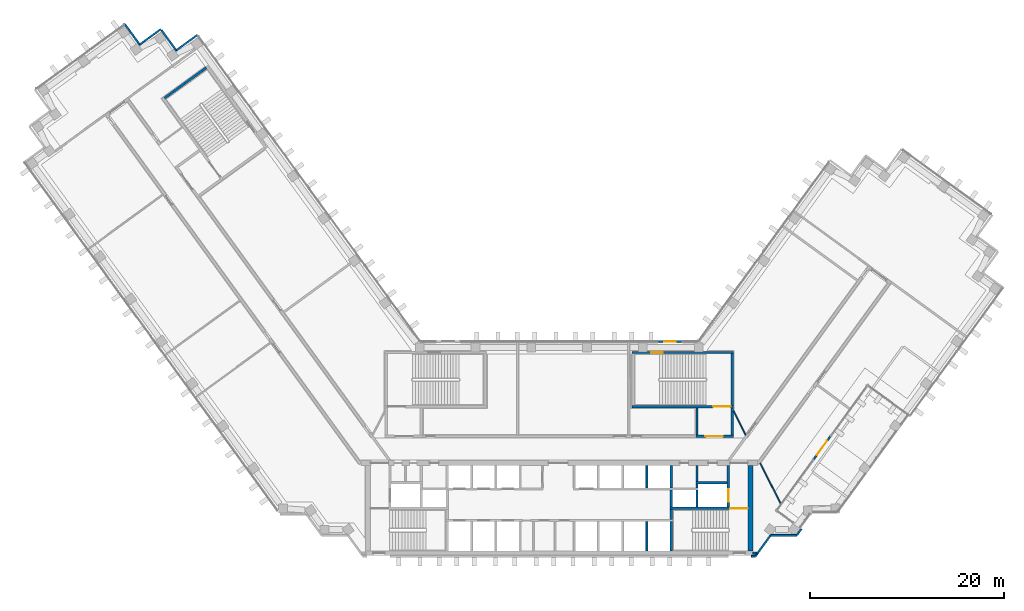
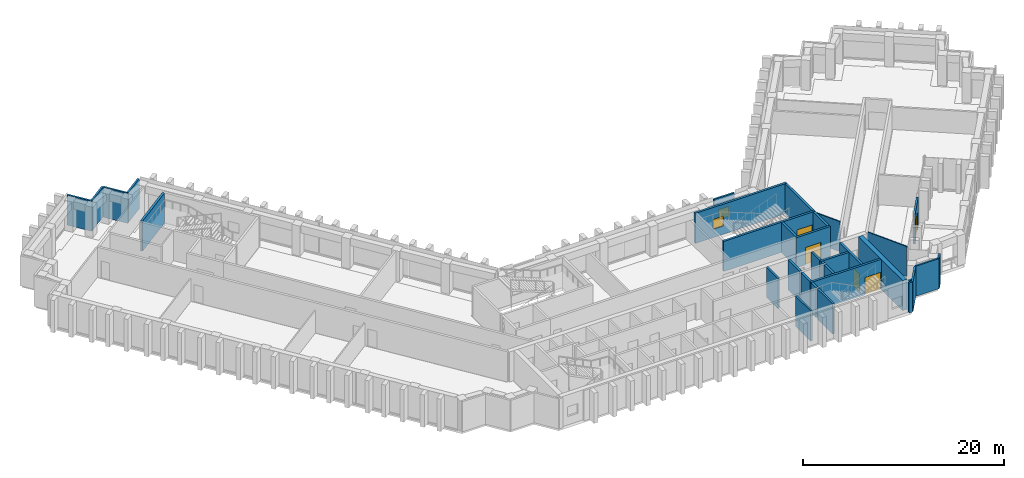
# One storey, part 9 of 14: 33 walls, 5 doors, 2 windows, 7 openings.
"""IFC4 building model written with IfcOpenShell, lengths in metres."""

from ifc_helpers import new_model, si_unit, direction, frame, frame_2d, origin, place, context, subcontext, project, spatial, rectangle, extrude, material, layer, layer_set, type_object, element, fill, save


model = new_model("IFC4")

# Units and contexts
model_context = context("Model", 3, precision=1e-05, world=origin(), true_north=direction((0.0, 1.0)))
body_context = subcontext(model_context, "Body", "Model", "MODEL_VIEW")
ifc_project = project(units=[si_unit("LENGTHUNIT", "METRE"), si_unit("AREAUNIT", "SQUARE_METRE"), si_unit("VOLUMEUNIT", "CUBIC_METRE"), si_unit("PLANEANGLEUNIT", "RADIAN"), si_unit("MASSUNIT", "GRAM", prefix="KILO")], contexts=[model_context])

# Site, building, storey
site_placement = place(None, origin())
site = spatial("IfcSite", under=ifc_project, at=site_placement, CompositionType="ELEMENT")
building_placement = place(site_placement, origin())
building = spatial("IfcBuilding", under=site, at=building_placement, Name="Quipu Civic Tower", CompositionType="ELEMENT")
storey_placement = place(building_placement, frame((0.0, 0.0, 105.0)))
storey = spatial("IfcBuildingStorey", under=building, at=storey_placement, Name="L24", CompositionType="ELEMENT", Elevation=105.0)

# Walls
ifc_material_1 = material(Name="Concrete C70/85", Category="concrete")
ifc_layer_1 = layer(ifc_material_1, 0.25)
ifc_layer_set_1 = layer_set([ifc_layer_1], Name="Concrete C70/85")
wall_type_1 = type_object("IfcWallType", Name="Core wall 250", PredefinedType="SHEAR", material=ifc_layer_set_1)
wall_1_placement = place(storey_placement, frame((11.574951171875, -10.5, 0.0), z_axis=(0.0, 0.0, 1.0), x_axis=(0.0, 1.0, 0.0)))
element("IfcWall", 1, at=wall_1_placement, inside=storey, type_object=wall_type_1, Name="Core wall", PredefinedType="SHEAR", context=body_context, shape_type="SweptSolid", body=[
    extrude(rectangle(XDim=3.0, YDim=0.25, at=frame_2d((1.5, 0.0))), origin(), (0.0, 0.0, 1.0), 3.64990234375),
])
wall_2_placement = place(storey_placement, frame((11.574951171875, -7.25, 0.0), z_axis=(0.0, 0.0, 1.0), x_axis=(0.0, 1.0, 0.0)))
element("IfcWall", 2, at=wall_2_placement, inside=storey, type_object=wall_type_1, Name="Core wall", PredefinedType="SHEAR", context=body_context, shape_type="SweptSolid", body=[
    extrude(rectangle(XDim=1.0, YDim=0.25, at=frame_2d((0.5, 0.0))), origin(), (0.0, 0.0, 1.0), 3.64990234375),
])

# Wall, opening, door
wall_3_placement = place(storey_placement, frame((19.5, -6.125, 0.0), z_axis=(0.0, 0.0, 1.0), x_axis=(-1.0, 0.0, 0.0)))
wall_3 = element("IfcWall", 3, at=wall_3_placement, inside=storey, type_object=wall_type_1, Name="Core wall", PredefinedType="SHEAR", context=body_context, shape_type="SweptSolid", body=[
    extrude(rectangle(XDim=8.050048828125, YDim=0.25, at=frame_2d((4.02490234375, 0.0))), origin(), (0.0, 0.0, 1.0), 3.64990234375),
])
opening_1_placement = place(wall_3_placement, frame((0.050048828125, 0.0, 0.0)))
opening_1 = element("IfcOpeningElement", 4, at=opening_1_placement, cuts=wall_3, Name="Opening CD-05", PredefinedType="OPENING", context=body_context, shape_type="SweptSolid", body=[
    extrude(rectangle(XDim=1.800048828125, YDim=2.10009765625, at=frame_2d((0.89990234375, 1.050048828125))), frame((0.0, 0.135009765625, 0.0), z_axis=(0.0, -1.0, 0.0), x_axis=(1.0, 0.0, 0.0)), (0.0, 0.0, 1.0), 0.27001953125),
])
ifc_material_2 = material(Name="Fire rated steel door", Category="steel")
door_type_1 = type_object("IfcDoorType", Name="Fire door FD90 double 1800 x 2100", OperationType="NOTDEFINED", PredefinedType="DOOR", material=ifc_material_2)
door_1_placement = place(opening_1_placement, origin())
door_1 = element("IfcDoor", 5, at=door_1_placement, inside=storey, type_object=door_type_1, Name="Door", OperationType="DOUBLE_DOOR_SINGLE_SWING", OverallHeight=2.10009765625, OverallWidth=1.800048828125, PredefinedType="DOOR", context=body_context, shape_type="SweptSolid", body=[
    extrude(rectangle(XDim=1.800048828125, YDim=2.10009765625, at=frame_2d((0.89990234375, 1.050048828125))), frame((0.0, 0.02490234375, 0.0), z_axis=(0.0, -1.0, 0.0), x_axis=(1.0, 0.0, 0.0)), (0.0, 0.0, 1.0), 0.050048828125),
])
fill(opening_1, door_1)

# Walls
for number, where, z_axis, x_axis, name in (
    (6, (11.574951171875, -6.0, 0.0), (0.0, 0.0, 1.0), (0.0, 1.0, 0.0), "Core wall"),
    (7, (14.22509765625, -6.0, 0.0), (0.0, 0.0, 1.0), (0.0, 1.0, 0.0), "Core wall"),
):
    element("IfcWall", number, at=place(storey_placement, frame(where, z_axis=z_axis, x_axis=x_axis)), inside=storey, type_object=wall_type_1, Name=name, PredefinedType="SHEAR", context=body_context, shape_type="SweptSolid", body=[
        extrude(rectangle(XDim=1.75, YDim=0.25, at=frame_2d((0.875, 0.0))), origin(), (0.0, 0.0, 1.0), 3.64990234375),
    ])

# Wall, opening, door
wall_4_placement = place(storey_placement, frame((17.47509765625, -6.0, 0.0), z_axis=(0.0, 0.0, 1.0), x_axis=(0.0, 1.0, 0.0)))
wall_4 = element("IfcWall", 8, at=wall_4_placement, inside=storey, type_object=wall_type_1, Name="Core wall", PredefinedType="SHEAR", context=body_context, shape_type="SweptSolid", body=[
    extrude(rectangle(XDim=4.300048828125, YDim=0.25, at=frame_2d((2.14990234375, 0.0))), origin(), (0.0, 0.0, 1.0), 3.64990234375),
])
opening_2_placement = place(wall_4_placement, frame((0.550048828125, 0.0, 0.0)))
opening_2 = element("IfcOpeningElement", 9, at=opening_2_placement, cuts=wall_4, Name="Opening LD-FF2", PredefinedType="OPENING", context=body_context, shape_type="SweptSolid", body=[
    extrude(rectangle(XDim=1.300048828125, YDim=2.10009765625, at=frame_2d((0.64990234375, 1.050048828125))), frame((0.0, 0.135009765625, 0.0), z_axis=(0.0, -1.0, 0.0), x_axis=(1.0, 0.0, 0.0)), (0.0, 0.0, 1.0), 0.27001953125),
])
ifc_material_3 = material(Name="Stainless steel", Category="steel")
door_type_2 = type_object("IfcDoorType", Name="Lift landing door 1300 x 2100", OperationType="DOUBLE_DOOR_SLIDING", PredefinedType="DOOR", material=ifc_material_3)
door_2_placement = place(opening_2_placement, origin())
door_2 = element("IfcDoor", 10, at=door_2_placement, inside=storey, type_object=door_type_2, Name="Landing door FF2", OperationType="DOUBLE_DOOR_SLIDING", OverallHeight=2.10009765625, OverallWidth=1.300048828125, PredefinedType="DOOR", context=body_context, shape_type="SweptSolid", body=[
    extrude(rectangle(XDim=1.300048828125, YDim=2.10009765625, at=frame_2d((0.64990234375, 1.050048828125))), frame((0.0, 0.02490234375, 0.0), z_axis=(0.0, -1.0, 0.0), x_axis=(1.0, 0.0, 0.0)), (0.0, 0.0, 1.0), 0.050048828125),
])
fill(opening_2, door_2)

# Walls
wall_5_placement = place(storey_placement, frame((11.574951171875, -4.0, 0.0), z_axis=(0.0, 0.0, 1.0), x_axis=(0.0, 1.0, 0.0)))
element("IfcWall", 11, at=wall_5_placement, inside=storey, type_object=wall_type_1, Name="Core wall", PredefinedType="SHEAR", context=body_context, shape_type="SweptSolid", body=[
    extrude(rectangle(XDim=2.300048828125, YDim=0.25, at=frame_2d((1.14990234375, 0.0))), origin(), (0.0, 0.0, 1.0), 3.64990234375),
])
wall_6_placement = place(storey_placement, frame((14.22509765625, -4.0, 0.0), z_axis=(0.0, 0.0, 1.0), x_axis=(0.0, 1.0, 0.0)))
element("IfcWall", 12, at=wall_6_placement, inside=storey, type_object=wall_type_1, Name="Core wall", PredefinedType="SHEAR", context=body_context, shape_type="SweptSolid", body=[
    extrude(rectangle(XDim=0.39990234375, YDim=0.25, at=frame_2d((0.199951171875, 0.0))), origin(), (0.0, 0.0, 1.0), 3.64990234375),
])
wall_7_placement = place(storey_placement, frame((14.10009765625, -3.47509765625, 0.0), z_axis=(0.0, 0.0, 1.0), x_axis=(1.0, 0.0, 0.0)))
element("IfcWall", 13, at=wall_7_placement, inside=storey, type_object=wall_type_1, Name="Core wall", PredefinedType="SHEAR", context=body_context, shape_type="SweptSolid", body=[
    extrude(rectangle(XDim=3.25, YDim=0.25, at=frame_2d((1.625, 0.0))), origin(), (0.0, 0.0, 1.0), 3.64990234375),
])
wall_8_placement = place(storey_placement, frame((14.22509765625, -3.35009765625, 0.0), z_axis=(0.0, 0.0, 1.0), x_axis=(0.0, 1.0, 0.0)))
element("IfcWall", 14, at=wall_8_placement, inside=storey, type_object=wall_type_1, Name="Core wall", PredefinedType="SHEAR", context=body_context, shape_type="SweptSolid", body=[
    extrude(rectangle(XDim=1.650146484375, YDim=0.25, at=frame_2d((0.8251953125, 0.0))), origin(), (0.0, 0.0, 1.0), 3.64990234375),
])

# Wall, opening, door
wall_9_placement = place(storey_placement, frame((14.10009765625, 1.324951171875, 0.0), z_axis=(0.0, 0.0, 1.0), x_axis=(1.0, 0.0, 0.0)))
wall_9 = element("IfcWall", 15, at=wall_9_placement, inside=storey, type_object=wall_type_1, Name="Core wall", PredefinedType="SHEAR", context=body_context, shape_type="SweptSolid", body=[
    extrude(rectangle(XDim=3.89990234375, YDim=0.25, at=frame_2d((1.949951171875, 0.0))), origin(), (0.0, 0.0, 1.0), 3.64990234375),
])
opening_3_placement = place(wall_9_placement, frame((1.0, 0.0, 0.0)))
opening_3 = element("IfcOpeningElement", 16, at=opening_3_placement, cuts=wall_9, Name="Opening CD-17", PredefinedType="OPENING", context=body_context, shape_type="SweptSolid", body=[
    extrude(rectangle(XDim=1.800048828125, YDim=2.10009765625, at=frame_2d((0.89990234375, 1.050048828125))), frame((0.0, 0.135009765625, 0.0), z_axis=(0.0, -1.0, 0.0), x_axis=(1.0, 0.0, 0.0)), (0.0, 0.0, 1.0), 0.27001953125),
])
door_3_placement = place(opening_3_placement, origin())
door_3 = element("IfcDoor", 17, at=door_3_placement, inside=storey, type_object=door_type_1, Name="Lobby door", OperationType="DOUBLE_DOOR_SINGLE_SWING", OverallHeight=2.10009765625, OverallWidth=1.800048828125, PredefinedType="DOOR", context=body_context, shape_type="SweptSolid", body=[
    extrude(rectangle(XDim=1.800048828125, YDim=2.10009765625, at=frame_2d((0.89990234375, 1.050048828125))), frame((0.0, 0.02490234375, 0.0), z_axis=(0.0, -1.0, 0.0), x_axis=(1.0, 0.0, 0.0)), (0.0, 0.0, 1.0), 0.050048828125),
])
fill(opening_3, door_3)

# Walls
for number, where, z_axis, x_axis, name in (
    (18, (14.22509765625, 1.449951171875, 0.0), (0.0, 0.0, 1.0), (0.0, 1.0, 0.0), "Core wall"),
    (19, (17.875, 1.449951171875, 0.0), (0.0, 0.0, 1.0), (0.0, 1.0, 0.0), "Core wall"),
):
    element("IfcWall", number, at=place(storey_placement, frame(where, z_axis=z_axis, x_axis=x_axis)), inside=storey, type_object=wall_type_1, Name=name, PredefinedType="SHEAR", context=body_context, shape_type="SweptSolid", body=[
        extrude(rectangle(XDim=2.800048828125, YDim=0.25, at=frame_2d((1.39990234375, 0.0))), origin(), (0.0, 0.0, 1.0), 3.64990234375),
    ])

# Wall, opening, door
wall_10_placement = place(storey_placement, frame((7.5, 4.375, 0.0), z_axis=(0.0, 0.0, 1.0), x_axis=(1.0, 0.0, 0.0)))
wall_10 = element("IfcWall", 20, at=wall_10_placement, inside=storey, type_object=wall_type_1, Name="Core wall", PredefinedType="SHEAR", context=body_context, shape_type="SweptSolid", body=[
    extrude(rectangle(XDim=10.5, YDim=0.25, at=frame_2d((5.25, 0.0))), origin(), (0.0, 0.0, 1.0), 3.64990234375),
])
opening_4_placement = place(wall_10_placement, frame((8.39990234375, 0.0, 0.0)))
opening_4 = element("IfcOpeningElement", 21, at=opening_4_placement, cuts=wall_10, Name="Opening CD-18", PredefinedType="OPENING", context=body_context, shape_type="SweptSolid", body=[
    extrude(rectangle(XDim=1.800048828125, YDim=2.10009765625, at=frame_2d((0.89990234375, 1.050048828125))), frame((0.0, 0.135009765625, 0.0), z_axis=(0.0, -1.0, 0.0), x_axis=(1.0, 0.0, 0.0)), (0.0, 0.0, 1.0), 0.27001953125),
])
door_4_placement = place(opening_4_placement, origin())
door_4 = element("IfcDoor", 22, at=door_4_placement, inside=storey, type_object=door_type_1, Name="Door", OperationType="DOUBLE_DOOR_SINGLE_SWING", OverallHeight=2.10009765625, OverallWidth=1.800048828125, PredefinedType="DOOR", context=body_context, shape_type="SweptSolid", body=[
    extrude(rectangle(XDim=1.800048828125, YDim=2.10009765625, at=frame_2d((0.89990234375, 1.050048828125))), frame((0.0, 0.02490234375, 0.0), z_axis=(0.0, -1.0, 0.0), x_axis=(1.0, 0.0, 0.0)), (0.0, 0.0, 1.0), 0.050048828125),
])
fill(opening_4, door_4)

# Wall
wall_11_placement = place(storey_placement, frame((17.875, 4.5, 0.0), z_axis=(0.0, 0.0, 1.0), x_axis=(0.0, 1.0, 0.0)))
element("IfcWall", 23, at=wall_11_placement, inside=storey, type_object=wall_type_1, Name="Core wall", PredefinedType="SHEAR", context=body_context, shape_type="SweptSolid", body=[
    extrude(rectangle(XDim=5.35009765625, YDim=0.25, at=frame_2d((2.675048828125, 0.0))), origin(), (0.0, 0.0, 1.0), 3.64990234375),
])

# Wall, opening, window
wall_12_placement = place(storey_placement, frame((7.5, 9.97509765625, 0.0), z_axis=(0.0, 0.0, 1.0), x_axis=(1.0, 0.0, 0.0)))
wall_12 = element("IfcWall", 24, at=wall_12_placement, inside=storey, type_object=wall_type_1, Name="Core wall", PredefinedType="SHEAR", context=body_context, shape_type="SweptSolid", body=[
    extrude(rectangle(XDim=10.5, YDim=0.25, at=frame_2d((5.25, 0.0))), origin(), (0.0, 0.0, 1.0), 3.64990234375),
])
opening_5_placement = place(wall_12_placement, frame((2.0, 0.0, 1.0)))
opening_5 = element("IfcOpeningElement", 25, at=opening_5_placement, cuts=wall_12, Name="Opening SV-4", PredefinedType="OPENING", context=body_context, shape_type="SweptSolid", body=[
    extrude(rectangle(XDim=1.199951171875, YDim=1.199951171875, at=frame_2d((0.60009765625, 0.60009765625))), frame((0.0, 0.135009765625, 0.0), z_axis=(0.0, -1.0, 0.0), x_axis=(1.0, 0.0, 0.0)), (0.0, 0.0, 1.0), 0.27001953125),
])
ifc_material_4 = material(Name="Aluminium louvre", Category="aluminium")
window_type_1 = type_object("IfcWindowType", Name="Stair ventilation louvre 1200 x 1200", PartitioningType="SINGLE_PANEL", PredefinedType="WINDOW", material=ifc_material_4)
window_1_placement = place(opening_5_placement, origin())
window_1 = element("IfcWindow", 26, at=window_1_placement, inside=storey, type_object=window_type_1, Name="Stair ventilation opening", OverallHeight=1.199951171875, OverallWidth=1.199951171875, PartitioningType="SINGLE_PANEL", PredefinedType="WINDOW", context=body_context, shape_type="SweptSolid", body=[
    extrude(rectangle(XDim=1.199951171875, YDim=1.199951171875, at=frame_2d((0.60009765625, 0.60009765625))), frame((0.0, 0.030029296875, 0.0), z_axis=(0.0, -1.0, 0.0), x_axis=(1.0, 0.0, 0.0)), (0.0, 0.0, 1.0), 0.06005859375),
])
fill(opening_5, window_1)

# Walls
wall_13_placement = place(storey_placement, frame((-36.43896484375, 39.384033203125, 0.0), z_axis=(0.0, 0.0, 1.0), x_axis=(-0.809020161303, -0.587780893365, 0.0)))
element("IfcWall", 27, at=wall_13_placement, inside=storey, type_object=wall_type_1, Name="Core wall", PredefinedType="SHEAR", context=body_context, shape_type="SweptSolid", body=[
    extrude(rectangle(XDim=5.349853515625, YDim=0.25, at=frame_2d((2.6748046875, 0.0))), origin(), (0.0, 0.0, 1.0), 3.64990234375),
])
ifc_material_5 = material(Name="Concrete C70/85", Category="concrete")
ifc_layer_2 = layer(ifc_material_5, 0.5)
ifc_layer_set_2 = layer_set([ifc_layer_2], Name="Concrete C70/85")
wall_type_2 = type_object("IfcWallType", Name="Core wall 500", PredefinedType="SHEAR", material=ifc_layer_set_2)
wall_14_placement = place(storey_placement, frame((19.75, -10.5, 0.0), z_axis=(0.0, 0.0, 1.0), x_axis=(0.0, 1.0, 0.0)))
element("IfcWall", 28, at=wall_14_placement, inside=storey, type_object=wall_type_2, Name="Core wall", PredefinedType="SHEAR", context=body_context, shape_type="SweptSolid", body=[
    extrude(rectangle(XDim=8.800048828125, YDim=0.5, at=frame_2d((4.39990234375, 0.0))), origin(), (0.0, 0.0, 1.0), 3.64990234375),
])
ifc_material_6 = material(Name="Gypsum plasterboard on light gauge framing")
ifc_layer_3 = layer(ifc_material_6, 0.1201171875)
ifc_layer_set_3 = layer_set([ifc_layer_3], Name="Gypsum plasterboard on light gauge framing")
wall_type_3 = type_object("IfcWallType", Name="Partition 120 plasterboard", PredefinedType="PARTITIONING", material=ifc_layer_set_3)
wall_15_placement = place(storey_placement, frame((18.0, 3.925048828125, 0.0), z_axis=(0.0, 0.0, 1.0), x_axis=(0.453950796792, -0.891026752736, 0.0)))
element("IfcWall", 29, at=wall_15_placement, inside=storey, type_object=wall_type_3, Name="Partition P13", PredefinedType="PARTITIONING", context=body_context, shape_type="SweptSolid", body=[
    extrude(rectangle(XDim=2.77783203125, YDim=0.1201171875, at=frame_2d((1.388916015625, 0.0))), origin(), (0.0, 0.0, 1.0), 3.64990234375),
])
wall_16_placement = place(storey_placement, frame((20.739013671875, -1.449951171875, 0.0), z_axis=(0.0, 0.0, 1.0), x_axis=(0.453952647408, -0.891025809902, 0.0)))
element("IfcWall", 30, at=wall_16_placement, inside=storey, type_object=wall_type_3, Name="Partition P15", PredefinedType="PARTITIONING", context=body_context, shape_type="SweptSolid", body=[
    extrude(rectangle(XDim=4.62841796875, YDim=0.1201171875, at=frame_2d((2.314208984375, 0.0))), origin(), (0.0, 0.0, 1.0), 3.64990234375),
])
ifc_material_7 = material(Name="Precast concrete C40/50", Category="concrete")
wall_type_4 = type_object("IfcWallType", Name="Precast cladding wall", PredefinedType="SOLIDWALL", material=ifc_material_7)
wall_17_placement = place(storey_placement, frame((-37.352783203125, 42.768310546875, 0.0), z_axis=(0.0, 0.0, 1.0), x_axis=(-0.809033161865, -0.587762999008, 0.0)))
element("IfcWall", 31, at=wall_17_placement, inside=storey, type_object=wall_type_4, Name="Precast cladding wall L24 P02", PredefinedType="SOLIDWALL", context=body_context, shape_type="SweptSolid", body=[
    extrude(rectangle(XDim=2.699951171875, YDim=0.199951171875, at=frame_2d((1.35009765625, 0.0))), origin(), (0.0, 0.0, 1.0), 3.64990234375),
])
wall_18_placement = place(storey_placement, frame((-39.488037109375, 41.093505859375, 0.0), z_axis=(0.0, 0.0, 1.0), x_axis=(-0.587806000234, 0.809001919707, 0.0)))
element("IfcWall", 32, at=wall_18_placement, inside=storey, type_object=wall_type_4, Name="Precast cladding wall L24 P03", PredefinedType="SOLIDWALL", context=body_context, shape_type="SweptSolid", body=[
    extrude(rectangle(XDim=2.69970703125, YDim=0.199951171875, at=frame_2d((1.349853515625, 0.0))), origin(), (0.0, 0.0, 1.0), 3.64990234375),
])
for number, where, z_axis, x_axis, name in (
    (33, (-41.1240234375, 43.36572265625, 0.0), (0.0, 0.0, 1.0), (-0.809033161865, -0.587762999008, 0.0), "Precast cladding wall L24 P04"),
    (34, (-43.25927734375, 41.690673828125, 0.0), (0.0, 0.0, 1.0), (-0.587822180636, 0.808990163075, 0.0), "Precast cladding wall L24 P05"),
):
    element("IfcWall", number, at=place(storey_placement, frame(where, z_axis=z_axis, x_axis=x_axis)), inside=storey, type_object=wall_type_4, Name=name, PredefinedType="SOLIDWALL", context=body_context, shape_type="SweptSolid", body=[
        extrude(rectangle(XDim=2.699951171875, YDim=0.199951171875, at=frame_2d((1.35009765625, 0.0))), origin(), (0.0, 0.0, 1.0), 3.64990234375),
    ])
wall_19_placement = place(storey_placement, frame((19.85009765625, -11.087890625, 0.0), z_axis=(0.0, 0.0, 1.0), x_axis=(1.0, 0.0, 0.0)))
element("IfcWall", 35, at=wall_19_placement, inside=storey, type_object=wall_type_4, Name="Precast cladding wall L24 P19", PredefinedType="SOLIDWALL", context=body_context, shape_type="SweptSolid", body=[
    extrude(rectangle(XDim=0.40576171875, YDim=0.199951171875, at=frame_2d((0.202880859375, 0.0))), origin(), (0.0, 0.0, 1.0), 3.64990234375),
])
wall_20_placement = place(storey_placement, frame((20.253173828125, -11.083251953125, 0.0), z_axis=(0.0, 0.0, 1.0), x_axis=(0.587766567315, 0.809030569476, 0.0)))
element("IfcWall", 36, at=wall_20_placement, inside=storey, type_object=wall_type_4, Name="Precast cladding wall L24 P20", PredefinedType="SOLIDWALL", context=body_context, shape_type="SweptSolid", body=[
    extrude(rectangle(XDim=2.687744140625, YDim=0.199951171875, at=frame_2d((1.34375, 0.0))), origin(), (0.0, 0.0, 1.0), 3.64990234375),
])
wall_21_placement = place(storey_placement, frame((21.8427734375, -8.90380859375, 0.0), z_axis=(0.0, 0.0, 1.0), x_axis=(1.0, 0.0, 0.0)))
element("IfcWall", 37, at=wall_21_placement, inside=storey, type_object=wall_type_4, Name="Precast cladding wall L24 P21", PredefinedType="SOLIDWALL", context=body_context, shape_type="SweptSolid", body=[
    extrude(rectangle(XDim=2.699951171875, YDim=0.199951171875, at=frame_2d((1.35009765625, 0.0))), origin(), (0.0, 0.0, 1.0), 3.64990234375),
])

# Wall, opening, window
wall_22_placement = place(storey_placement, frame((12.655029296875, 11.10009765625, 0.0), z_axis=(0.0, 0.0, 1.0), x_axis=(-1.0, 0.0, 0.0)))
wall_22 = element("IfcWall", 38, at=wall_22_placement, inside=storey, type_object=wall_type_4, Name="Vent surround SF-L22-2", PredefinedType="SOLIDWALL", context=body_context, shape_type="SweptSolid", body=[
    extrude(rectangle(XDim=2.3916015625, YDim=0.199951171875, at=frame_2d((1.19580078125, 0.0))), origin(), (0.0, 0.0, 1.0), 3.64990234375),
])
opening_6_placement = place(wall_22_placement, frame((0.595703125, 0.0, 1.0)))
opening_6 = element("IfcOpeningElement", 39, at=opening_6_placement, cuts=wall_22, Name="Opening SF-L22-2", PredefinedType="OPENING", context=body_context, shape_type="SweptSolid", body=[
    extrude(rectangle(XDim=1.199951171875, YDim=1.199951171875, at=frame_2d((0.60009765625, 0.60009765625))), frame((0.0, 0.10986328125, 0.0), z_axis=(0.0, -1.0, 0.0), x_axis=(1.0, 0.0, 0.0)), (0.0, 0.0, 1.0), 0.219970703125),
])
ifc_material_8 = material(Name="Anodised aluminium louvre", Category="aluminium")
window_type_2 = type_object("IfcWindowType", Name="Stair vent louvre window P3", PartitioningType="SINGLE_PANEL", PredefinedType="WINDOW", material=ifc_material_8)
window_2_placement = place(opening_6_placement, origin())
window_2 = element("IfcWindow", 40, at=window_2_placement, inside=storey, type_object=window_type_2, Name="Stair vent louvre SF-L22-2", OverallHeight=1.199951171875, OverallWidth=1.199951171875, PartitioningType="SINGLE_PANEL", PredefinedType="WINDOW", context=body_context, shape_type="SweptSolid", body=[
    extrude(rectangle(XDim=1.199951171875, YDim=1.199951171875, at=frame_2d((0.60009765625, 0.60009765625))), frame((0.0, 0.030029296875, 0.0), z_axis=(0.0, -1.0, 0.0), x_axis=(1.0, 0.0, 0.0)), (0.0, 0.0, 1.0), 0.06005859375),
])
fill(opening_6, window_2)

# Walls
wall_23_placement = place(storey_placement, frame((24.533203125, -8.90869140625, 0.0), z_axis=(0.0, 0.0, 1.0), x_axis=(0.587551368178, 0.809186869488, 0.0)))
element("IfcWall", 41, at=wall_23_placement, inside=storey, type_object=wall_type_4, Name="Precast cladding wall L24 1", PredefinedType="SOLIDWALL", context=body_context, shape_type="SweptSolid", body=[
    extrude(rectangle(XDim=0.8427734375, YDim=0.199951171875, at=frame_2d((0.42138671875, 0.0))), origin(), (0.0, 0.0, 1.0), 3.64990234375),
])
wall_24_placement = place(storey_placement, frame((19.97998046875, -10.75, 0.0), z_axis=(0.0, 0.0, 1.0), x_axis=(1.0, 0.0, 0.0)))
element("IfcWall", 42, at=wall_24_placement, inside=storey, type_object=wall_type_4, Name="Precast cladding return L24 E", PredefinedType="SOLIDWALL", context=body_context, shape_type="SweptSolid", body=[
    extrude(rectangle(XDim=0.41650390625, YDim=0.199951171875, at=frame_2d((0.208251953125, 0.0))), origin(), (0.0, 0.0, 1.0), 3.64990234375),
])

# Wall, opening, door
ifc_material_9 = material(Name="Precast concrete C40/50", Category="concrete")
wall_type_5 = type_object("IfcWallType", Name="Precast door surround", PredefinedType="SOLIDWALL", material=ifc_material_9)
wall_25_placement = place(storey_placement, frame((28.009521484375, 1.326904296875, 0.0), z_axis=(0.0, 0.0, 1.0), x_axis=(-0.587735577821, -0.809053082661, 0.0)))
wall_25 = element("IfcWall", 43, at=wall_25_placement, inside=storey, type_object=wall_type_5, Name="Door surround ED-L24-1", PredefinedType="SOLIDWALL", context=body_context, shape_type="SweptSolid", body=[
    extrude(rectangle(XDim=2.962890625, YDim=0.199951171875, at=frame_2d((1.4814453125, 0.0))), origin(), (0.0, 0.0, 1.0), 3.64990234375),
])
opening_7_placement = place(wall_25_placement, frame((0.58154296875, 0.0, 0.0)))
opening_7 = element("IfcOpeningElement", 44, at=opening_7_placement, cuts=wall_25, Name="Opening ED-L24-1", PredefinedType="OPENING", context=body_context, shape_type="SweptSolid", body=[
    extrude(rectangle(XDim=1.800048828125, YDim=2.39990234375, at=frame_2d((0.89990234375, 1.199951171875))), frame((0.0, 0.10986328125, 0.0), z_axis=(0.0, -1.0, 0.0), x_axis=(1.0, 0.0, 0.0)), (0.0, 0.0, 1.0), 0.219970703125),
])
ifc_material_10 = material(Name="Aluminium framed glazed door", Category="aluminium")
door_type_3 = type_object("IfcDoorType", Name="Terrace door E3", OperationType="DOUBLE_DOOR_SINGLE_SWING", PredefinedType="DOOR", material=ifc_material_10)
door_5_placement = place(opening_7_placement, origin())
door_5 = element("IfcDoor", 45, at=door_5_placement, inside=storey, type_object=door_type_3, Name="E3 door ED-L24-1", OperationType="DOUBLE_DOOR_SINGLE_SWING", OverallHeight=2.39990234375, OverallWidth=1.800048828125, PredefinedType="DOOR", context=body_context, shape_type="SweptSolid", body=[
    extrude(rectangle(XDim=1.800048828125, YDim=2.39990234375, at=frame_2d((0.89990234375, 1.199951171875))), frame((0.0, 0.02490234375, 0.0), z_axis=(0.0, -1.0, 0.0), x_axis=(1.0, 0.0, 0.0)), (0.0, 0.0, 1.0), 0.050048828125),
])
fill(opening_7, door_5)

# Walls
ifc_material_11 = material(Name="Concrete C40/50", Category="concrete")
ifc_layer_4 = layer(ifc_material_11, 0.199951171875)
ifc_layer_set_4 = layer_set([ifc_layer_4], Name="Concrete C40/50")
wall_type_6 = type_object("IfcWallType", Name="Shaft wall 200", PredefinedType="SOLIDWALL", material=ifc_layer_set_4)
wall_26_placement = place(storey_placement, frame((9.050048828125, -10.5, 0.0), z_axis=(0.0, 0.0, 1.0), x_axis=(0.0, 1.0, 0.0)))
element("IfcWall", 46, at=wall_26_placement, inside=storey, type_object=wall_type_6, Name="Shaft wall", PredefinedType="SOLIDWALL", context=body_context, shape_type="SweptSolid", body=[
    extrude(rectangle(XDim=3.0, YDim=0.199951171875, at=frame_2d((1.5, 0.0))), origin(), (0.0, 0.0, 1.0), 3.64990234375),
])
wall_27_placement = place(storey_placement, frame((9.050048828125, -4.0, 0.0), z_axis=(0.0, 0.0, 1.0), x_axis=(0.0, 1.0, 0.0)))
element("IfcWall", 47, at=wall_27_placement, inside=storey, type_object=wall_type_6, Name="Shaft wall", PredefinedType="SOLIDWALL", context=body_context, shape_type="SweptSolid", body=[
    extrude(rectangle(XDim=2.300048828125, YDim=0.199951171875, at=frame_2d((1.14990234375, 0.0))), origin(), (0.0, 0.0, 1.0), 3.64990234375),
])

save(model, "model.ifc")
